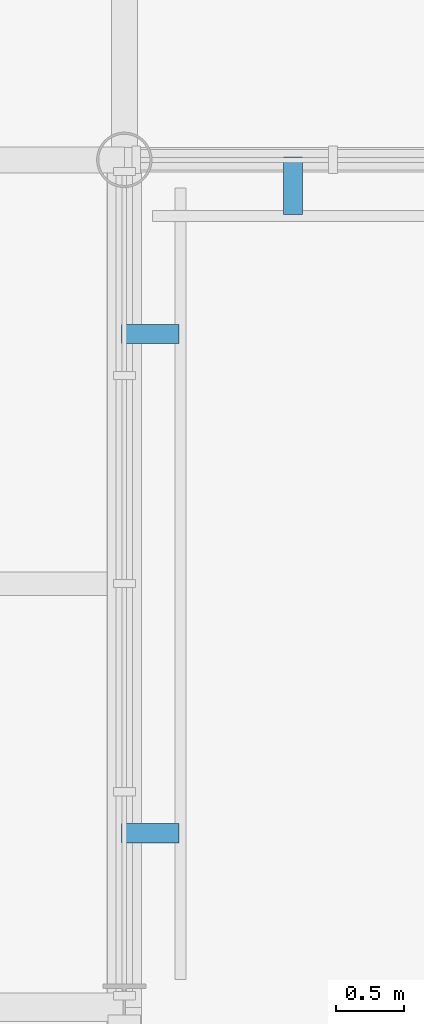
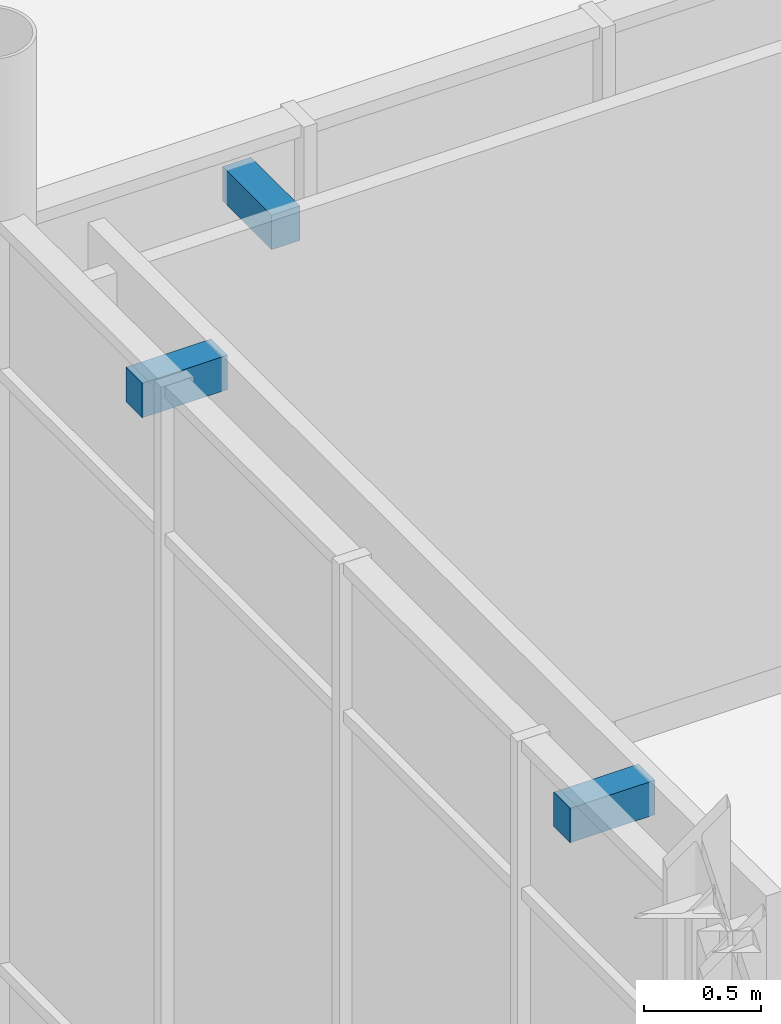
# One storey, part 76 of 105: 3 discrete accessories.
"""IFC4 building model written with IfcOpenShell, lengths in metres."""

from ifc_helpers import new_model, si_unit, direction, frame, origin, origin_2d, place, context, subcontext, project, spatial, rectangle, extrude, material, type_object, element, save


model = new_model("IFC4")

# Units and contexts
model_context = context("Model", 3, precision=1e-05, world=origin(), true_north=direction((0.0, 1.0)))
body_context = subcontext(model_context, "Body", "Model", "MODEL_VIEW")
ifc_project = project(units=[si_unit("LENGTHUNIT", "METRE"), si_unit("AREAUNIT", "SQUARE_METRE"), si_unit("VOLUMEUNIT", "CUBIC_METRE"), si_unit("PLANEANGLEUNIT", "RADIAN"), si_unit("MASSUNIT", "GRAM", prefix="KILO")], contexts=[model_context])

# Site, building, storey
site_placement = place(None, origin())
site = spatial("IfcSite", under=ifc_project, at=site_placement, CompositionType="ELEMENT")
building_placement = place(site_placement, origin())
building = spatial("IfcBuilding", under=site, at=building_placement, Name="Mirzam Square Science Centre", CompositionType="ELEMENT")
storey_placement = place(building_placement, frame((0.0, 0.0, 5.39990234375)))
storey = spatial("IfcBuildingStorey", under=building, at=storey_placement, Name="L01", CompositionType="ELEMENT", Elevation=5.39990234375)

# Discrete accessories
ifc_material = material(Name="Steel S355", Category="steel")
discrete_accessory_type = type_object("IfcDiscreteAccessoryType", Name="BRK-BRISE-STEEL", PredefinedType="BRACKET", material=ifc_material)
for number, where, z_axis, x_axis, name in (
    (1, (31.23291015625, 37.010009765625, 4.10009765625), (0.0, 0.0, 1.0), (1.0, 0.0, 0.0), "L01 brise-soleil support bracket 16"),
    (2, (30.18994140625, 32.27294921875, 4.2099609375), (0.0, 0.0, 1.0), (0.0, 1.0, 0.0), "L01 brise-soleil support bracket 39"),
    (3, (30.18994140625, 35.927001953125, 4.2099609375), (0.0, 0.0, 1.0), (0.0, 1.0, 0.0), "L01 brise-soleil support bracket 39"),
):
    element("IfcDiscreteAccessory", number, at=place(storey_placement, frame(where, z_axis=z_axis, x_axis=x_axis)), inside=storey, type_object=discrete_accessory_type, Name=name, PredefinedType="BRACKET", context=body_context, shape_type="SweptSolid", body=[
        extrude(rectangle(XDim=0.139892578125, YDim=0.419921875, at=origin_2d()), origin(), (0.0, 0.0, 1.0), 0.179931640625),
    ])

save(model, "model.ifc")
